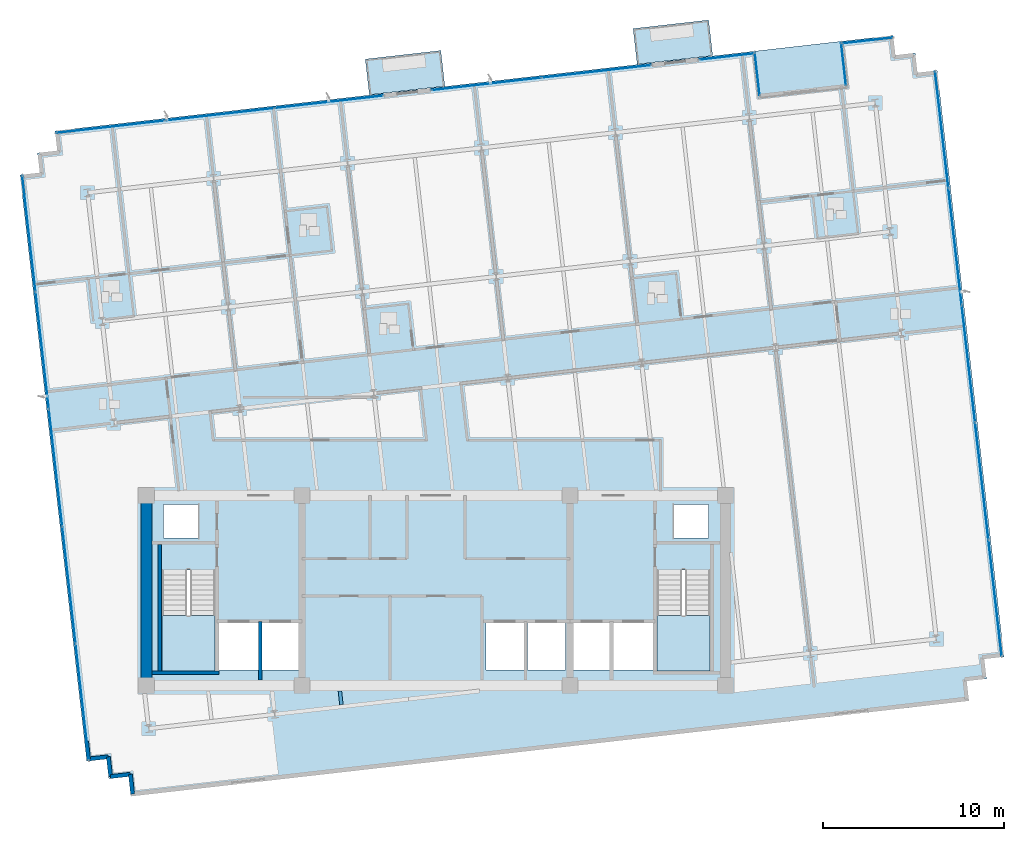
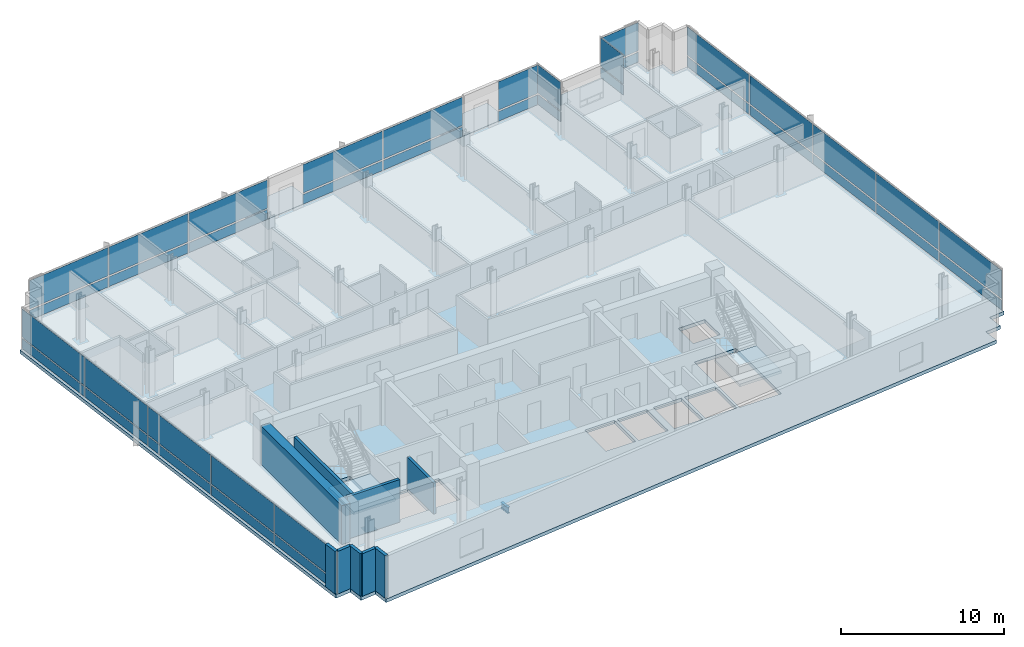
# One storey, part 8 of 16: 38 plates, 9 walls, 5 slabs, 1 beam, 10 elements without a shape of their own.
"""IFC4 building model written with IfcOpenShell, lengths in metres."""

from ifc_helpers import new_model, si_unit, direction, frame, frame_2d, origin, origin_2d, place, context, subcontext, project, spatial, polyline, rectangle, i_section, outline, extrude, material, layer, layer_set, material_profile, profile_set, type_object, element, aggregate, save


model = new_model("IFC4")

# Units and contexts
model_context = context("Model", 3, precision=1e-05, world=origin(), true_north=direction((0.0, 1.0)))
body_context = subcontext(model_context, "Body", "Model", "MODEL_VIEW")
ifc_project = project(units=[si_unit("LENGTHUNIT", "METRE"), si_unit("AREAUNIT", "SQUARE_METRE"), si_unit("VOLUMEUNIT", "CUBIC_METRE"), si_unit("PLANEANGLEUNIT", "RADIAN"), si_unit("MASSUNIT", "GRAM", prefix="KILO")], contexts=[model_context])

# Site, building, storey
site_placement = place(None, origin())
site = spatial("IfcSite", under=ifc_project, at=site_placement, CompositionType="ELEMENT")
building_placement = place(site_placement, origin())
building = spatial("IfcBuilding", under=site, at=building_placement, Name="Solmavex Isthmus Hotel", CompositionType="ELEMENT")
storey_placement = place(building_placement, frame((0.0, 0.0, 222.75)))
storey = spatial("IfcBuildingStorey", under=building, at=storey_placement, Name="L60", CompositionType="ELEMENT", Elevation=222.75)

# Beam
ifc_material_1 = material(Name="Steel ASTM A992 Grade 50", Category="steel")
ifc_material_profile = material_profile(ifc_material_1, i_section(OverallWidth=0.1904296875, OverallDepth=0.456787109375, WebThickness=0.009033203125, FlangeThickness=0.014404296875, FilletRadius=0.0126953125, at=origin_2d()), Name="W18X50")
ifc_profile_set = profile_set([ifc_material_profile], Name="Steel ASTM A992 Grade 50")
beam_type = type_object("IfcBeamType", Name="BM-BJ-W18X50", PredefinedType="JOIST", material=ifc_profile_set)
beam_placement = place(storey_placement, frame((-5.2236328125, -14.05419921875, -0.488525390625), z_axis=(-0.112902470797, 0.993606074905, 0.0), x_axis=(-0.993606074905, -0.112902470797, 0.0)))
element("IfcBeam", 1, at=beam_placement, inside=storey, type_object=beam_type, Name="Secondary Floor Joist L60-J05", PredefinedType="JOIST", context=body_context, shape_type="SweptSolid", body=[
    extrude(i_section(OverallWidth=0.1904296875, OverallDepth=0.456787109375, WebThickness=0.009033203125, FlangeThickness=0.014404296875, FilletRadius=0.0126953125, at=origin_2d()), origin(), (0.0, 0.0, 1.0), 0.759033203125),
])

# Curtain wall, plates
ifc_material_2 = material(Name="Aluminium alloy 6063-T6", Category="aluminium")
curtain_wall_type = type_object("IfcCurtainWallType", Name="CW-SYS-06", PredefinedType="NOTDEFINED", material=ifc_material_2)
curtain_wall_1_placement = place(storey_placement, origin())
curtain_wall_1 = element("IfcCurtainWall", 2, at=curtain_wall_1_placement, inside=storey, type_object=curtain_wall_type, Name="Stick Curtain Wall CWL-L60-SGW", PredefinedType="NOTDEFINED")
ifc_material_3 = material(Name="Clear low-E laminated glass", Category="glass")
ifc_layer_1 = layer(ifc_material_3, 0.028076171875)
ifc_layer_set_1 = layer_set([ifc_layer_1], Name="Clear low-E laminated glass")
plate_type = type_object("IfcPlateType", Name="CW-SYS-06-PNL", PredefinedType="CURTAIN_PANEL", material=ifc_layer_set_1)
plate_1_placement = place(storey_placement, frame((17.748046875, 20.795166015625, 0.114990234375), z_axis=(0.0, 0.0, 1.0), x_axis=(-0.113201551883, 0.993572045023, 0.0)))
plate_1 = element("IfcPlate", 3, at=plate_1_placement, type_object=plate_type, Name="CW-06 panel 1.1", PredefinedType="CURTAIN_PANEL", context=body_context, shape_type="SweptSolid", body=[
    extrude(rectangle(XDim=2.360107421875, YDim=0.028076171875, at=origin_2d()), origin(), (0.0, 0.0, 1.0), 0.7275390625),
])
plate_2_placement = place(storey_placement, frame((17.748046875, 20.795166015625, 0.95751953125), z_axis=(0.0, 0.0, 1.0), x_axis=(-0.113201551883, 0.993572045023, 0.0)))
plate_2 = element("IfcPlate", 4, at=plate_2_placement, type_object=plate_type, Name="CW-06 panel 1.2", PredefinedType="CURTAIN_PANEL", context=body_context, shape_type="SweptSolid", body=[
    extrude(rectangle(XDim=2.360107421875, YDim=0.028076171875, at=origin_2d()), origin(), (0.0, 0.0, 1.0), 2.117431640625),
])
aggregate(curtain_wall_1, [plate_1, plate_2])

curtain_wall_2_placement = place(storey_placement, origin())
curtain_wall_2 = element("IfcCurtainWall", 5, at=curtain_wall_2_placement, inside=storey, type_object=curtain_wall_type, Name="Stick Curtain Wall CWL-L60-SGE", PredefinedType="NOTDEFINED")
plate_3_placement = place(storey_placement, frame((22.517333984375, 21.338623046875, 0.114990234375), z_axis=(0.0, 0.0, 1.0), x_axis=(-0.113201551883, 0.993572045023, 0.0)))
plate_3 = element("IfcPlate", 6, at=plate_3_placement, type_object=plate_type, Name="CW-06 panel 1.1", PredefinedType="CURTAIN_PANEL", context=body_context, shape_type="SweptSolid", body=[
    extrude(rectangle(XDim=2.360107421875, YDim=0.028076171875, at=origin_2d()), origin(), (0.0, 0.0, 1.0), 0.7275390625),
])
plate_4_placement = place(storey_placement, frame((22.517333984375, 21.338623046875, 0.95751953125), z_axis=(0.0, 0.0, 1.0), x_axis=(-0.113201551883, 0.993572045023, 0.0)))
plate_4 = element("IfcPlate", 7, at=plate_4_placement, type_object=plate_type, Name="CW-06 panel 1.2", PredefinedType="CURTAIN_PANEL", context=body_context, shape_type="SweptSolid", body=[
    extrude(rectangle(XDim=2.360107421875, YDim=0.028076171875, at=origin_2d()), origin(), (0.0, 0.0, 1.0), 2.117431640625),
])
aggregate(curtain_wall_2, [plate_3, plate_4])

curtain_wall_3_placement = place(storey_placement, origin())
curtain_wall_3 = element("IfcCurtainWall", 8, at=curtain_wall_3_placement, inside=storey, type_object=curtain_wall_type, Name="Stick Curtain Wall CWL-L60-N1", PredefinedType="NOTDEFINED")
plate_5_placement = place(storey_placement, frame((-17.989501953125, 17.870849609375, 0.114990234375), z_axis=(0.0, 0.0, 1.0), x_axis=(0.993571885329, 0.113202953513, 0.0)))
plate_5 = element("IfcPlate", 9, at=plate_5_placement, type_object=plate_type, Name="CW-06 panel 1.1", PredefinedType="CURTAIN_PANEL", context=body_context, shape_type="SweptSolid", body=[
    extrude(rectangle(XDim=6.00244140625, YDim=0.028076171875, at=origin_2d()), origin(), (0.0, 0.0, 1.0), 0.7275390625),
])
plate_6_placement = place(storey_placement, frame((-17.989501953125, 17.870849609375, 0.95751953125), z_axis=(0.0, 0.0, 1.0), x_axis=(0.993571885329, 0.113202953513, 0.0)))
plate_6 = element("IfcPlate", 10, at=plate_6_placement, type_object=plate_type, Name="CW-06 panel 1.2", PredefinedType="CURTAIN_PANEL", context=body_context, shape_type="SweptSolid", body=[
    extrude(rectangle(XDim=6.00244140625, YDim=0.028076171875, at=origin_2d()), origin(), (0.0, 0.0, 1.0), 2.117431640625),
])
plate_7_placement = place(storey_placement, frame((-11.951171875, 18.558837890625, 0.114990234375), z_axis=(0.0, 0.0, 1.0), x_axis=(0.993571885329, 0.113202953513, 0.0)))
plate_7 = element("IfcPlate", 11, at=plate_7_placement, type_object=plate_type, Name="CW-06 panel 2.1", PredefinedType="CURTAIN_PANEL", context=body_context, shape_type="SweptSolid", body=[
    extrude(rectangle(XDim=6.0322265625, YDim=0.028076171875, at=origin_2d()), origin(), (0.0, 0.0, 1.0), 0.7275390625),
])
plate_8_placement = place(storey_placement, frame((-11.951171875, 18.558837890625, 0.95751953125), z_axis=(0.0, 0.0, 1.0), x_axis=(0.993571885329, 0.113202953513, 0.0)))
plate_8 = element("IfcPlate", 12, at=plate_8_placement, type_object=plate_type, Name="CW-06 panel 2.2", PredefinedType="CURTAIN_PANEL", context=body_context, shape_type="SweptSolid", body=[
    extrude(rectangle(XDim=6.0322265625, YDim=0.028076171875, at=origin_2d()), origin(), (0.0, 0.0, 1.0), 2.117431640625),
])
plate_9_placement = place(storey_placement, frame((-5.912841796875, 19.24658203125, 0.114990234375), z_axis=(0.0, 0.0, 1.0), x_axis=(0.993571885329, 0.113202953513, 0.0)))
plate_9 = element("IfcPlate", 13, at=plate_9_placement, type_object=plate_type, Name="CW-06 panel 3.1", PredefinedType="CURTAIN_PANEL", context=body_context, shape_type="SweptSolid", body=[
    extrude(rectangle(XDim=6.00244140625, YDim=0.028076171875, at=origin_2d()), origin(), (0.0, 0.0, 1.0), 0.7275390625),
])
plate_10_placement = place(storey_placement, frame((-5.912841796875, 19.24658203125, 0.95751953125), z_axis=(0.0, 0.0, 1.0), x_axis=(0.993571885329, 0.113202953513, 0.0)))
plate_10 = element("IfcPlate", 14, at=plate_10_placement, type_object=plate_type, Name="CW-06 panel 3.2", PredefinedType="CURTAIN_PANEL", context=body_context, shape_type="SweptSolid", body=[
    extrude(rectangle(XDim=6.00244140625, YDim=0.028076171875, at=origin_2d()), origin(), (0.0, 0.0, 1.0), 2.117431640625),
])
aggregate(curtain_wall_3, [plate_5, plate_6, plate_7, plate_8, plate_9, plate_10])

curtain_wall_4_placement = place(storey_placement, origin())
curtain_wall_4 = element("IfcCurtainWall", 15, at=curtain_wall_4_placement, inside=storey, type_object=curtain_wall_type, Name="Stick Curtain Wall CWL-L60-N2", PredefinedType="NOTDEFINED")
plate_11_placement = place(storey_placement, frame((2.780029296875, 20.237060546875, 0.114990234375), z_axis=(0.0, 0.0, 1.0), x_axis=(0.993571896348, 0.113202856801, 0.0)))
plate_11 = element("IfcPlate", 16, at=plate_11_placement, type_object=plate_type, Name="CW-06 panel 1.1", PredefinedType="CURTAIN_PANEL", context=body_context, shape_type="SweptSolid", body=[
    extrude(rectangle(XDim=6.055908203125, YDim=0.028076171875, at=origin_2d()), origin(), (0.0, 0.0, 1.0), 0.7275390625),
])
plate_12_placement = place(storey_placement, frame((2.780029296875, 20.237060546875, 0.95751953125), z_axis=(0.0, 0.0, 1.0), x_axis=(0.993571896348, 0.113202856801, 0.0)))
plate_12 = element("IfcPlate", 17, at=plate_12_placement, type_object=plate_type, Name="CW-06 panel 1.2", PredefinedType="CURTAIN_PANEL", context=body_context, shape_type="SweptSolid", body=[
    extrude(rectangle(XDim=6.055908203125, YDim=0.028076171875, at=origin_2d()), origin(), (0.0, 0.0, 1.0), 2.117431640625),
])
plate_13_placement = place(storey_placement, frame((8.856689453125, 20.929443359375, 0.114990234375), z_axis=(0.0, 0.0, 1.0), x_axis=(0.993571896348, 0.113202856801, 0.0)))
plate_13 = element("IfcPlate", 18, at=plate_13_placement, type_object=plate_type, Name="CW-06 panel 2.1", PredefinedType="CURTAIN_PANEL", context=body_context, shape_type="SweptSolid", body=[
    extrude(rectangle(XDim=6.055908203125, YDim=0.028076171875, at=origin_2d()), origin(), (0.0, 0.0, 1.0), 0.7275390625),
])
plate_14_placement = place(storey_placement, frame((8.856689453125, 20.929443359375, 0.95751953125), z_axis=(0.0, 0.0, 1.0), x_axis=(0.993571896348, 0.113202856801, 0.0)))
plate_14 = element("IfcPlate", 19, at=plate_14_placement, type_object=plate_type, Name="CW-06 panel 2.2", PredefinedType="CURTAIN_PANEL", context=body_context, shape_type="SweptSolid", body=[
    extrude(rectangle(XDim=6.055908203125, YDim=0.028076171875, at=origin_2d()), origin(), (0.0, 0.0, 1.0), 2.117431640625),
])
aggregate(curtain_wall_4, [plate_11, plate_12, plate_13, plate_14])

curtain_wall_5_placement = place(storey_placement, origin())
curtain_wall_5 = element("IfcCurtainWall", 20, at=curtain_wall_5_placement, inside=storey, type_object=curtain_wall_type, Name="Stick Curtain Wall CWL-L60-N3", PredefinedType="NOTDEFINED")
plate_15_placement = place(storey_placement, frame((16.063720703125, 21.75048828125, 0.114990234375), z_axis=(0.0, 0.0, 1.0), x_axis=(0.993571855862, 0.113203212138, 0.0)))
plate_15 = element("IfcPlate", 21, at=plate_15_placement, type_object=plate_type, Name="CW-06 panel 1.1", PredefinedType="CURTAIN_PANEL", context=body_context, shape_type="SweptSolid", body=[
    extrude(rectangle(XDim=3.010986328125, YDim=0.028076171875, at=origin_2d()), origin(), (0.0, 0.0, 1.0), 0.7275390625),
])
plate_16_placement = place(storey_placement, frame((16.063720703125, 21.75048828125, 0.95751953125), z_axis=(0.0, 0.0, 1.0), x_axis=(0.993571855862, 0.113203212138, 0.0)))
plate_16 = element("IfcPlate", 22, at=plate_16_placement, type_object=plate_type, Name="CW-06 panel 1.2", PredefinedType="CURTAIN_PANEL", context=body_context, shape_type="SweptSolid", body=[
    extrude(rectangle(XDim=3.010986328125, YDim=0.028076171875, at=origin_2d()), origin(), (0.0, 0.0, 1.0), 2.117431640625),
])
aggregate(curtain_wall_5, [plate_15, plate_16])

curtain_wall_6_placement = place(storey_placement, origin())
curtain_wall_6 = element("IfcCurtainWall", 23, at=curtain_wall_6_placement, inside=storey, type_object=curtain_wall_type, Name="Stick Curtain Wall CWL-L60-N4", PredefinedType="NOTDEFINED")
plate_17_placement = place(storey_placement, frame((23.828857421875, 22.63525390625, 0.114990234375), z_axis=(0.0, 0.0, 1.0), x_axis=(0.993571836452, 0.113203382497, 0.0)))
plate_17 = element("IfcPlate", 24, at=plate_17_placement, type_object=plate_type, Name="CW-06 panel 1.1", PredefinedType="CURTAIN_PANEL", context=body_context, shape_type="SweptSolid", body=[
    extrude(rectangle(XDim=2.780029296875, YDim=0.028076171875, at=origin_2d()), origin(), (0.0, 0.0, 1.0), 0.7275390625),
])
plate_18_placement = place(storey_placement, frame((23.828857421875, 22.63525390625, 0.95751953125), z_axis=(0.0, 0.0, 1.0), x_axis=(0.993571836452, 0.113203382497, 0.0)))
plate_18 = element("IfcPlate", 25, at=plate_18_placement, type_object=plate_type, Name="CW-06 panel 1.2", PredefinedType="CURTAIN_PANEL", context=body_context, shape_type="SweptSolid", body=[
    extrude(rectangle(XDim=2.780029296875, YDim=0.028076171875, at=origin_2d()), origin(), (0.0, 0.0, 1.0), 2.117431640625),
])
aggregate(curtain_wall_6, [plate_17, plate_18])

curtain_wall_7_placement = place(storey_placement, origin())
curtain_wall_7 = element("IfcCurtainWall", 26, at=curtain_wall_7_placement, inside=storey, type_object=curtain_wall_type, Name="Stick Curtain Wall CWL-L60-W1", PredefinedType="NOTDEFINED")
plate_19_placement = place(storey_placement, frame((-19.54248046875, -13.914306640625, 0.114990234375), z_axis=(0.0, 0.0, 1.0), x_axis=(-0.11320338078, 0.993571836648, 0.0)))
plate_19 = element("IfcPlate", 27, at=plate_19_placement, type_object=plate_type, Name="CW-06 panel 1.1", PredefinedType="CURTAIN_PANEL", context=body_context, shape_type="SweptSolid", body=[
    extrude(rectangle(XDim=6.429931640625, YDim=0.028076171875, at=origin_2d()), origin(), (0.0, 0.0, 1.0), 0.7275390625),
])
plate_20_placement = place(storey_placement, frame((-19.54248046875, -13.914306640625, 0.95751953125), z_axis=(0.0, 0.0, 1.0), x_axis=(-0.11320338078, 0.993571836648, 0.0)))
plate_20 = element("IfcPlate", 28, at=plate_20_placement, type_object=plate_type, Name="CW-06 panel 1.2", PredefinedType="CURTAIN_PANEL", context=body_context, shape_type="SweptSolid", body=[
    extrude(rectangle(XDim=6.429931640625, YDim=0.028076171875, at=origin_2d()), origin(), (0.0, 0.0, 1.0), 2.117431640625),
])
plate_21_placement = place(storey_placement, frame((-20.27880859375, -7.451171875, 0.114990234375), z_axis=(0.0, 0.0, 1.0), x_axis=(-0.11320338078, 0.993571836648, 0.0)))
plate_21 = element("IfcPlate", 29, at=plate_21_placement, type_object=plate_type, Name="CW-06 panel 2.1", PredefinedType="CURTAIN_PANEL", context=body_context, shape_type="SweptSolid", body=[
    extrude(rectangle(XDim=6.4599609375, YDim=0.028076171875, at=origin_2d()), origin(), (0.0, 0.0, 1.0), 0.7275390625),
])
plate_22_placement = place(storey_placement, frame((-20.27880859375, -7.451171875, 0.95751953125), z_axis=(0.0, 0.0, 1.0), x_axis=(-0.11320338078, 0.993571836648, 0.0)))
plate_22 = element("IfcPlate", 30, at=plate_22_placement, type_object=plate_type, Name="CW-06 panel 2.2", PredefinedType="CURTAIN_PANEL", context=body_context, shape_type="SweptSolid", body=[
    extrude(rectangle(XDim=6.4599609375, YDim=0.028076171875, at=origin_2d()), origin(), (0.0, 0.0, 1.0), 2.117431640625),
])
plate_23_placement = place(storey_placement, frame((-21.016845703125, -0.97314453125, 0.114990234375), z_axis=(0.0, 0.0, 1.0), x_axis=(-0.11320338078, 0.993571836648, 0.0)))
plate_23 = element("IfcPlate", 31, at=plate_23_placement, type_object=plate_type, Name="CW-06 panel 3.1", PredefinedType="CURTAIN_PANEL", context=body_context, shape_type="SweptSolid", body=[
    extrude(rectangle(XDim=6.4599609375, YDim=0.028076171875, at=origin_2d()), origin(), (0.0, 0.0, 1.0), 0.7275390625),
])
plate_24_placement = place(storey_placement, frame((-21.016845703125, -0.97314453125, 0.95751953125), z_axis=(0.0, 0.0, 1.0), x_axis=(-0.11320338078, 0.993571836648, 0.0)))
plate_24 = element("IfcPlate", 32, at=plate_24_placement, type_object=plate_type, Name="CW-06 panel 3.2", PredefinedType="CURTAIN_PANEL", context=body_context, shape_type="SweptSolid", body=[
    extrude(rectangle(XDim=6.4599609375, YDim=0.028076171875, at=origin_2d()), origin(), (0.0, 0.0, 1.0), 2.117431640625),
])
plate_25_placement = place(storey_placement, frame((-21.7548828125, 5.5048828125, 0.114990234375), z_axis=(0.0, 0.0, 1.0), x_axis=(-0.11320338078, 0.993571836648, 0.0)))
plate_25 = element("IfcPlate", 33, at=plate_25_placement, type_object=plate_type, Name="CW-06 panel 4.1", PredefinedType="CURTAIN_PANEL", context=body_context, shape_type="SweptSolid", body=[
    extrude(rectangle(XDim=6.4599609375, YDim=0.028076171875, at=origin_2d()), origin(), (0.0, 0.0, 1.0), 0.7275390625),
])
plate_26_placement = place(storey_placement, frame((-21.7548828125, 5.5048828125, 0.95751953125), z_axis=(0.0, 0.0, 1.0), x_axis=(-0.11320338078, 0.993571836648, 0.0)))
plate_26 = element("IfcPlate", 34, at=plate_26_placement, type_object=plate_type, Name="CW-06 panel 4.2", PredefinedType="CURTAIN_PANEL", context=body_context, shape_type="SweptSolid", body=[
    extrude(rectangle(XDim=6.4599609375, YDim=0.028076171875, at=origin_2d()), origin(), (0.0, 0.0, 1.0), 2.117431640625),
])
plate_27_placement = place(storey_placement, frame((-22.4912109375, 11.96826171875, 0.114990234375), z_axis=(0.0, 0.0, 1.0), x_axis=(-0.11320338078, 0.993571836648, 0.0)))
plate_27 = element("IfcPlate", 35, at=plate_27_placement, type_object=plate_type, Name="CW-06 panel 5.1", PredefinedType="CURTAIN_PANEL", context=body_context, shape_type="SweptSolid", body=[
    extrude(rectangle(XDim=6.429931640625, YDim=0.028076171875, at=origin_2d()), origin(), (0.0, 0.0, 1.0), 0.7275390625),
])
plate_28_placement = place(storey_placement, frame((-22.4912109375, 11.96826171875, 0.95751953125), z_axis=(0.0, 0.0, 1.0), x_axis=(-0.11320338078, 0.993571836648, 0.0)))
plate_28 = element("IfcPlate", 36, at=plate_28_placement, type_object=plate_type, Name="CW-06 panel 5.2", PredefinedType="CURTAIN_PANEL", context=body_context, shape_type="SweptSolid", body=[
    extrude(rectangle(XDim=6.429931640625, YDim=0.028076171875, at=origin_2d()), origin(), (0.0, 0.0, 1.0), 2.117431640625),
])
aggregate(curtain_wall_7, [plate_19, plate_20, plate_21, plate_22, plate_23, plate_24, plate_25, plate_26, plate_27, plate_28])

curtain_wall_8_placement = place(storey_placement, origin())
curtain_wall_8 = element("IfcCurtainWall", 37, at=curtain_wall_8_placement, inside=storey, type_object=curtain_wall_type, Name="Stick Curtain Wall CWL-L60-E1", PredefinedType="NOTDEFINED")
plate_29_placement = place(storey_placement, frame((30.891357421875, -8.168212890625, 0.114990234375), z_axis=(0.0, 0.0, 1.0), x_axis=(-0.11320338078, 0.993571836648, 0.0)))
plate_29 = element("IfcPlate", 38, at=plate_29_placement, type_object=plate_type, Name="CW-06 panel 1.1", PredefinedType="CURTAIN_PANEL", context=body_context, shape_type="SweptSolid", body=[
    extrude(rectangle(XDim=6.429931640625, YDim=0.028076171875, at=origin_2d()), origin(), (0.0, 0.0, 1.0), 0.7275390625),
])
plate_30_placement = place(storey_placement, frame((30.891357421875, -8.168212890625, 0.95751953125), z_axis=(0.0, 0.0, 1.0), x_axis=(-0.11320338078, 0.993571836648, 0.0)))
plate_30 = element("IfcPlate", 39, at=plate_30_placement, type_object=plate_type, Name="CW-06 panel 1.2", PredefinedType="CURTAIN_PANEL", context=body_context, shape_type="SweptSolid", body=[
    extrude(rectangle(XDim=6.429931640625, YDim=0.028076171875, at=origin_2d()), origin(), (0.0, 0.0, 1.0), 2.117431640625),
])
plate_31_placement = place(storey_placement, frame((30.155029296875, -1.705078125, 0.114990234375), z_axis=(0.0, 0.0, 1.0), x_axis=(-0.11320338078, 0.993571836648, 0.0)))
plate_31 = element("IfcPlate", 40, at=plate_31_placement, type_object=plate_type, Name="CW-06 panel 2.1", PredefinedType="CURTAIN_PANEL", context=body_context, shape_type="SweptSolid", body=[
    extrude(rectangle(XDim=6.4599609375, YDim=0.028076171875, at=origin_2d()), origin(), (0.0, 0.0, 1.0), 0.7275390625),
])
plate_32_placement = place(storey_placement, frame((30.155029296875, -1.705078125, 0.95751953125), z_axis=(0.0, 0.0, 1.0), x_axis=(-0.11320338078, 0.993571836648, 0.0)))
plate_32 = element("IfcPlate", 41, at=plate_32_placement, type_object=plate_type, Name="CW-06 panel 2.2", PredefinedType="CURTAIN_PANEL", context=body_context, shape_type="SweptSolid", body=[
    extrude(rectangle(XDim=6.4599609375, YDim=0.028076171875, at=origin_2d()), origin(), (0.0, 0.0, 1.0), 2.117431640625),
])
plate_33_placement = place(storey_placement, frame((29.416748046875, 4.773193359375, 0.114990234375), z_axis=(0.0, 0.0, 1.0), x_axis=(-0.11320338078, 0.993571836648, 0.0)))
plate_33 = element("IfcPlate", 42, at=plate_33_placement, type_object=plate_type, Name="CW-06 panel 3.1", PredefinedType="CURTAIN_PANEL", context=body_context, shape_type="SweptSolid", body=[
    extrude(rectangle(XDim=6.4599609375, YDim=0.028076171875, at=origin_2d()), origin(), (0.0, 0.0, 1.0), 0.7275390625),
])
plate_34_placement = place(storey_placement, frame((29.416748046875, 4.773193359375, 0.95751953125), z_axis=(0.0, 0.0, 1.0), x_axis=(-0.11320338078, 0.993571836648, 0.0)))
plate_34 = element("IfcPlate", 43, at=plate_34_placement, type_object=plate_type, Name="CW-06 panel 3.2", PredefinedType="CURTAIN_PANEL", context=body_context, shape_type="SweptSolid", body=[
    extrude(rectangle(XDim=6.4599609375, YDim=0.028076171875, at=origin_2d()), origin(), (0.0, 0.0, 1.0), 2.117431640625),
])
plate_35_placement = place(storey_placement, frame((28.6787109375, 11.251220703125, 0.114990234375), z_axis=(0.0, 0.0, 1.0), x_axis=(-0.11320338078, 0.993571836648, 0.0)))
plate_35 = element("IfcPlate", 44, at=plate_35_placement, type_object=plate_type, Name="CW-06 panel 4.1", PredefinedType="CURTAIN_PANEL", context=body_context, shape_type="SweptSolid", body=[
    extrude(rectangle(XDim=6.4599609375, YDim=0.028076171875, at=origin_2d()), origin(), (0.0, 0.0, 1.0), 0.7275390625),
])
plate_36_placement = place(storey_placement, frame((28.6787109375, 11.251220703125, 0.95751953125), z_axis=(0.0, 0.0, 1.0), x_axis=(-0.11320338078, 0.993571836648, 0.0)))
plate_36 = element("IfcPlate", 45, at=plate_36_placement, type_object=plate_type, Name="CW-06 panel 4.2", PredefinedType="CURTAIN_PANEL", context=body_context, shape_type="SweptSolid", body=[
    extrude(rectangle(XDim=6.4599609375, YDim=0.028076171875, at=origin_2d()), origin(), (0.0, 0.0, 1.0), 2.117431640625),
])
plate_37_placement = place(storey_placement, frame((27.9423828125, 17.71435546875, 0.114990234375), z_axis=(0.0, 0.0, 1.0), x_axis=(-0.11320338078, 0.993571836648, 0.0)))
plate_37 = element("IfcPlate", 46, at=plate_37_placement, type_object=plate_type, Name="CW-06 panel 5.1", PredefinedType="CURTAIN_PANEL", context=body_context, shape_type="SweptSolid", body=[
    extrude(rectangle(XDim=6.429931640625, YDim=0.028076171875, at=origin_2d()), origin(), (0.0, 0.0, 1.0), 0.7275390625),
])
plate_38_placement = place(storey_placement, frame((27.9423828125, 17.71435546875, 0.95751953125), z_axis=(0.0, 0.0, 1.0), x_axis=(-0.11320338078, 0.993571836648, 0.0)))
plate_38 = element("IfcPlate", 47, at=plate_38_placement, type_object=plate_type, Name="CW-06 panel 5.2", PredefinedType="CURTAIN_PANEL", context=body_context, shape_type="SweptSolid", body=[
    extrude(rectangle(XDim=6.429931640625, YDim=0.028076171875, at=origin_2d()), origin(), (0.0, 0.0, 1.0), 2.117431640625),
])
aggregate(curtain_wall_8, [plate_29, plate_30, plate_31, plate_32, plate_33, plate_34, plate_35, plate_36, plate_37, plate_38])

# Slabs
ifc_material_4 = material(Name="Concrete C40/50", Category="concrete")
ifc_layer_2 = layer(ifc_material_4, 0.239990234375)
ifc_layer_set_2 = layer_set([ifc_layer_2], Name="Concrete C40/50")
slab_type_1 = type_object("IfcSlabType", Name="SLAB-BALC-240", PredefinedType="FLOOR", material=ifc_layer_set_2)
slab_1_placement = place(storey_placement, frame((0.0, 0.0, -0.239990234375)))
element("IfcSlab", 48, at=slab_1_placement, inside=storey, type_object=slab_type_1, Name="Tree-Planter Balcony Slab L60-B1", PredefinedType="FLOOR", context=body_context, shape_type="SweptSolid", body=[
    extrude(outline(polyline([(-3.681640625, 19.63671875), (0.491455078125, 20.1123046875), (0.266845703125, 22.08447265625), (-3.90625, 21.609130859375), (-3.681640625, 19.63671875)])), origin(), (0.0, 0.0, 1.0), 0.239990234375),
])
slab_2_placement = place(storey_placement, frame((0.0, 0.0, -0.239990234375)))
element("IfcSlab", 49, at=slab_2_placement, inside=storey, type_object=slab_type_1, Name="Tree-Planter Balcony Slab L60-B2", PredefinedType="FLOOR", context=body_context, shape_type="SweptSolid", body=[
    extrude(outline(polyline([(11.11474609375, 21.322509765625), (15.287841796875, 21.798095703125), (15.06298828125, 23.770263671875), (10.89013671875, 23.294921875), (11.11474609375, 21.322509765625)])), origin(), (0.0, 0.0, 1.0), 0.239990234375),
])
ifc_layer_3 = layer(ifc_material_4, 0.260009765625)
ifc_layer_set_3 = layer_set([ifc_layer_3], Name="Concrete C40/50")
slab_type_2 = type_object("IfcSlabType", Name="SLAB-TYP-260", PredefinedType="FLOOR", material=ifc_layer_set_3)
slab_3_placement = place(storey_placement, frame((0.0, 0.0, -0.260009765625)))
element("IfcSlab", 50, at=slab_3_placement, inside=storey, type_object=slab_type_2, Name="Tower Structural Floor Slab L60", PredefinedType="FLOOR", context=body_context, shape_type="SweptSolid", body=[
    extrude(outline(polyline([(-15.762939453125, -18.994140625), (28.3515625, -13.968017578125), (29.444580078125, -13.843505859375), (29.320068359375, -12.75048828125), (30.412841796875, -12.6259765625), (30.288330078125, -11.532958984375), (31.38134765625, -11.408447265625), (31.2568359375, -10.315673828125), (27.8154296875, 19.888916015625), (27.69091796875, 20.98193359375), (26.597900390625, 20.857421875), (26.473388671875, 21.9501953125), (25.38037109375, 21.82568359375), (25.255859375, 22.918701171875), (24.1630859375, 22.794189453125), (-19.95166015625, 17.76806640625), (-21.04443359375, 17.6435546875), (-20.919921875, 16.550537109375), (-22.012939453125, 16.426025390625), (-21.888427734375, 15.3330078125), (-22.981201171875, 15.20849609375), (-22.856689453125, 14.11572265625), (-19.415283203125, -16.0888671875), (-19.290771484375, -17.181884765625), (-18.197998046875, -17.057373046875), (-18.073486328125, -18.150390625), (-16.98046875, -18.02587890625), (-16.85595703125, -19.11865234375), (-15.762939453125, -18.994140625)]), holes=[polyline([(-15.14990234375, -6.617919921875), (-15.14990234375, -12.199951171875), (-12.199951171875, -12.199951171875), (-12.199951171875, -6.617919921875), (-15.14990234375, -6.617919921875)]), polyline([(12.199951171875, -6.617919921875), (12.199951171875, -12.199951171875), (15.14990234375, -12.199951171875), (15.14990234375, -6.617919921875), (12.199951171875, -6.617919921875)]), polyline([(-12.0, -12.14990234375), (-9.800048828125, -12.14990234375), (-9.800048828125, -9.550048828125), (-12.0, -9.550048828125), (-12.0, -12.14990234375)]), polyline([(9.800048828125, -12.14990234375), (12.0, -12.14990234375), (12.0, -9.550048828125), (9.800048828125, -9.550048828125), (9.800048828125, -12.14990234375)]), polyline([(-9.60009765625, -12.14990234375), (-7.60009765625, -12.14990234375), (-7.60009765625, -9.550048828125), (-9.60009765625, -9.550048828125), (-9.60009765625, -12.14990234375)]), polyline([(7.60009765625, -12.14990234375), (9.60009765625, -12.14990234375), (9.60009765625, -9.550048828125), (7.60009765625, -9.550048828125), (7.60009765625, -12.14990234375)]), polyline([(2.75, -12.14990234375), (4.85009765625, -12.14990234375), (4.85009765625, -9.550048828125), (2.75, -9.550048828125), (2.75, -12.14990234375)]), polyline([(5.050048828125, -12.14990234375), (7.14990234375, -12.14990234375), (7.14990234375, -9.550048828125), (5.050048828125, -9.550048828125), (5.050048828125, -12.14990234375)]), polyline([(-15.050048828125, -4.85009765625), (-13.14990234375, -4.85009765625), (-13.14990234375, -3.0), (-15.050048828125, -3.0), (-15.050048828125, -4.85009765625)]), polyline([(13.14990234375, -4.85009765625), (15.050048828125, -4.85009765625), (15.050048828125, -3.0), (13.14990234375, -3.0), (13.14990234375, -4.85009765625)])]), origin(), (0.0, 0.0, 1.0), 0.260009765625),
])

# Stair, slab
stair_type_1 = type_object("IfcStairType", Name="STR-ST-1", PredefinedType="HALF_TURN_STAIR", material=ifc_material_4)
stair_1_placement = place(storey_placement, origin())
stair_1 = element("IfcStair", 51, at=stair_1_placement, inside=storey, type_object=stair_type_1, Name="L60 Protected Exit Stair ST-1", PredefinedType="HALF_TURN_STAIR")
ifc_layer_4 = layer(ifc_material_4, 0.219970703125)
ifc_layer_set_4 = layer_set([ifc_layer_4], Name="Concrete C40/50")
slab_type_3 = type_object("IfcSlabType", Name="SLD-ST-1", PredefinedType="LANDING", material=ifc_layer_set_4)
slab_4_placement = place(storey_placement, frame((0.0, 0.0, 1.52490234375)))
slab_4 = element("IfcSlab", 52, at=slab_4_placement, type_object=slab_type_3, Name="ST-1 landing 1", PredefinedType="LANDING", context=body_context, shape_type="SweptSolid", body=[
    extrude(outline(polyline([(-15.14990234375, -9.1201171875), (-15.14990234375, -12.199951171875), (-12.199951171875, -12.199951171875), (-12.199951171875, -9.1201171875), (-15.14990234375, -9.1201171875)])), origin(), (0.0, 0.0, 1.0), 0.2001953125),
])
aggregate(stair_1, [slab_4])

stair_type_2 = type_object("IfcStairType", Name="STR-ST-2", PredefinedType="HALF_TURN_STAIR", material=ifc_material_4)
stair_2_placement = place(storey_placement, origin())
stair_2 = element("IfcStair", 53, at=stair_2_placement, inside=storey, type_object=stair_type_2, Name="L60 Protected Exit Stair ST-2", PredefinedType="HALF_TURN_STAIR")
ifc_layer_5 = layer(ifc_material_4, 0.219970703125)
ifc_layer_set_5 = layer_set([ifc_layer_5], Name="Concrete C40/50")
slab_type_4 = type_object("IfcSlabType", Name="SLD-ST-2", PredefinedType="LANDING", material=ifc_layer_set_5)
slab_5_placement = place(storey_placement, frame((0.0, 0.0, 1.52490234375)))
slab_5 = element("IfcSlab", 54, at=slab_5_placement, type_object=slab_type_4, Name="ST-2 landing 1", PredefinedType="LANDING", context=body_context, shape_type="SweptSolid", body=[
    extrude(outline(polyline([(12.199951171875, -9.1201171875), (12.199951171875, -12.199951171875), (15.14990234375, -12.199951171875), (15.14990234375, -9.1201171875), (12.199951171875, -9.1201171875)])), origin(), (0.0, 0.0, 1.0), 0.2001953125),
])
aggregate(stair_2, [slab_5])

# Walls
ifc_material_5 = material(Name="Precast Concrete C40/50", Category="concrete")
ifc_layer_6 = layer(ifc_material_5, 0.25)
ifc_layer_set_6 = layer_set([ifc_layer_6], Name="Precast Concrete C40/50")
wall_type_1 = type_object("IfcWallType", Name="EW-TWR-250", PredefinedType="STANDARD", material=ifc_layer_set_6)
for number, where, z_axis, x_axis, name in (
    (55, (-16.759033203125, -18.9970703125, 0.0), (0.0, 0.0, 1.0), (-0.113183557839, 0.99357409499, 0.0), "Serrated Corner Facade Panel L60-01"),
    (56, (-16.883544921875, -17.904052734375, 0.0), (0.0, 0.0, 1.0), (-0.99357409499, -0.113183557839, 0.0), "Serrated Corner Facade Panel L60-02"),
    (57, (-17.9765625, -18.028564453125, 0.0), (0.0, 0.0, 1.0), (-0.113183557839, 0.99357409499, 0.0), "Serrated Corner Facade Panel L60-03"),
    (58, (-18.10107421875, -16.935546875, 0.0), (0.0, 0.0, 1.0), (-0.99357409499, -0.113183557839, 0.0), "Serrated Corner Facade Panel L60-04"),
):
    element("IfcWall", number, at=place(storey_placement, frame(where, z_axis=z_axis, x_axis=x_axis)), inside=storey, type_object=wall_type_1, Name=name, PredefinedType="STANDARD", context=body_context, shape_type="SweptSolid", body=[
        extrude(rectangle(XDim=1.10009765625, YDim=0.219970703125, at=frame_2d((0.550048828125, 0.0))), origin(), (0.0, 0.0, 1.0), 3.18994140625),
    ])
wall_1_placement = place(storey_placement, frame((-19.194091796875, -17.06005859375, 0.0), z_axis=(0.0, 0.0, 1.0), x_axis=(-0.113191877531, 0.993573147212, 0.0)))
element("IfcWall", 59, at=wall_1_placement, inside=storey, type_object=wall_type_1, Name="Serrated Corner Facade Panel L60-05", PredefinedType="STANDARD", context=body_context, shape_type="SweptSolid", body=[
    extrude(rectangle(XDim=0.989990234375, YDim=0.219970703125, at=frame_2d((0.4951171875, 0.0))), origin(), (0.0, 0.0, 1.0), 3.18994140625),
])
ifc_layer_7 = layer(ifc_material_4, 0.199951171875)
ifc_layer_set_7 = layer_set([ifc_layer_7], Name="Concrete C40/50")
wall_type_2 = type_object("IfcWallType", Name="IW-SHAFT-200", PredefinedType="PARTITIONING", material=ifc_layer_set_7)
wall_2_placement = place(storey_placement, frame((-9.699951171875, -12.699951171875, 0.0), z_axis=(0.0, 0.0, 1.0), x_axis=(0.0, 1.0, 0.0)))
element("IfcWall", 60, at=wall_2_placement, inside=storey, type_object=wall_type_2, Name="Interior Partition Wall W-L60-FFLW-M", PredefinedType="PARTITIONING", context=body_context, shape_type="SweptSolid", body=[
    extrude(rectangle(XDim=3.25, YDim=0.199951171875, at=frame_2d((1.625, 0.0))), origin(), (0.0, 0.0, 1.0), 2.324951171875),
])
ifc_material_6 = material(Name="Concrete C50/60", Category="concrete")
ifc_layer_8 = layer(ifc_material_6, 0.60009765625)
ifc_layer_set_8 = layer_set([ifc_layer_8], Name="Concrete C50/60")
wall_type_3 = type_object("IfcWallType", Name="WALL-CW-600", PredefinedType="SHEAR", material=ifc_layer_set_8)
wall_3_placement = place(storey_placement, frame((-16.0, -12.699951171875, 0.0), z_axis=(0.0, 0.0, 1.0), x_axis=(0.0, 1.0, 0.0)))
element("IfcWall", 61, at=wall_3_placement, inside=storey, type_object=wall_type_3, Name="Core Shear Wall West L60", PredefinedType="SHEAR", context=body_context, shape_type="SweptSolid", body=[
    extrude(rectangle(XDim=9.89990234375, YDim=0.60009765625, at=frame_2d((4.949951171875, 0.0))), origin(), (0.0, 0.0, 1.0), 2.909912109375),
])
ifc_layer_9 = layer(ifc_material_4, 0.199951171875)
ifc_layer_set_9 = layer_set([ifc_layer_9], Name="Concrete C40/50")
wall_type_4 = type_object("IfcWallType", Name="WALL-SW-200", PredefinedType="SOLIDWALL", material=ifc_layer_set_9)
wall_4_placement = place(storey_placement, frame((-15.699951171875, -12.300048828125, 0.0), z_axis=(0.0, 0.0, 1.0), x_axis=(1.0, 0.0, 0.0)))
element("IfcWall", 62, at=wall_4_placement, inside=storey, type_object=wall_type_4, Name="Stairwell Structural Wall SW-L60-ST1-S", PredefinedType="SOLIDWALL", context=body_context, shape_type="SweptSolid", body=[
    extrude(rectangle(XDim=3.699951171875, YDim=0.199951171875, at=frame_2d((1.85009765625, 0.0))), origin(), (0.0, 0.0, 1.0), 3.18994140625),
])
wall_5_placement = place(storey_placement, frame((-15.25, -12.199951171875, 0.0), z_axis=(0.0, 0.0, 1.0), x_axis=(0.0, 1.0, 0.0)))
element("IfcWall", 63, at=wall_5_placement, inside=storey, type_object=wall_type_4, Name="Stairwell Structural Wall SW-L60-ST1-W", PredefinedType="SOLIDWALL", context=body_context, shape_type="SweptSolid", body=[
    extrude(rectangle(XDim=7.0, YDim=0.199951171875, at=frame_2d((3.5, 0.0))), origin(), (0.0, 0.0, 1.0), 3.18994140625),
])

save(model, "model.ifc")
